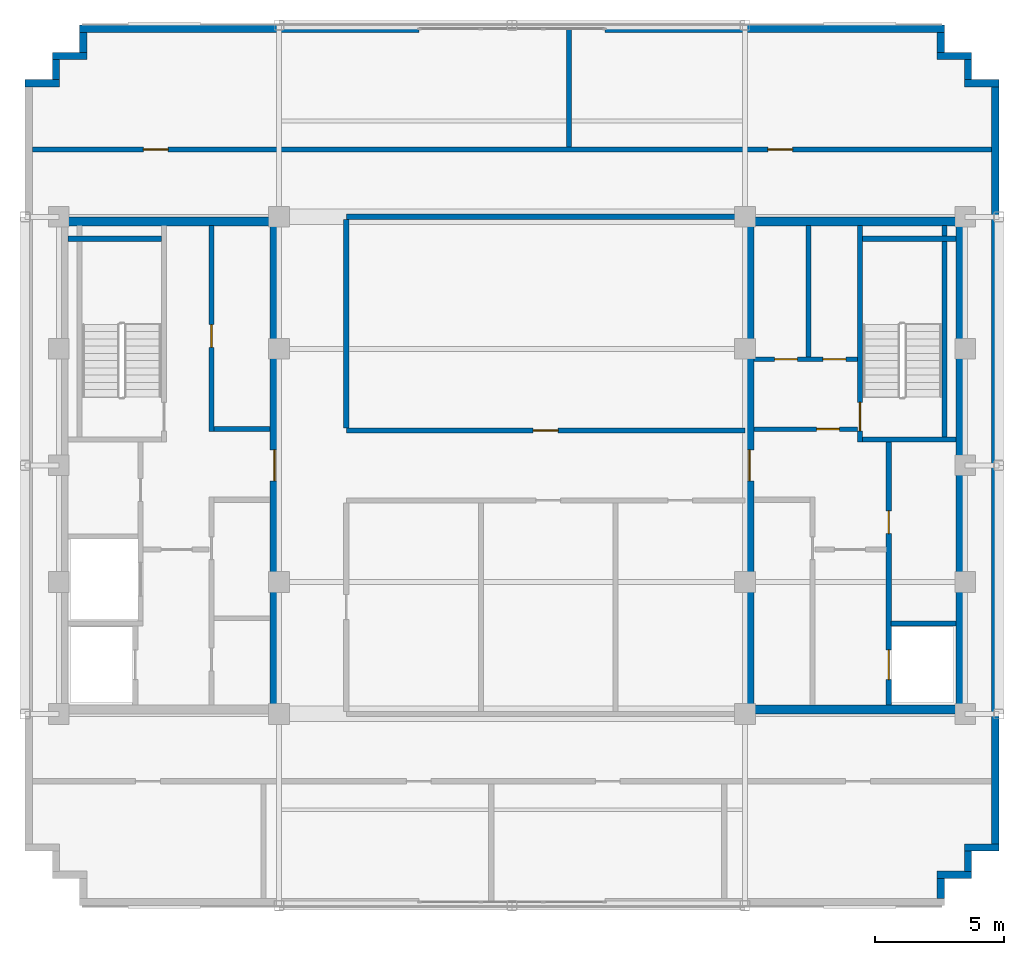
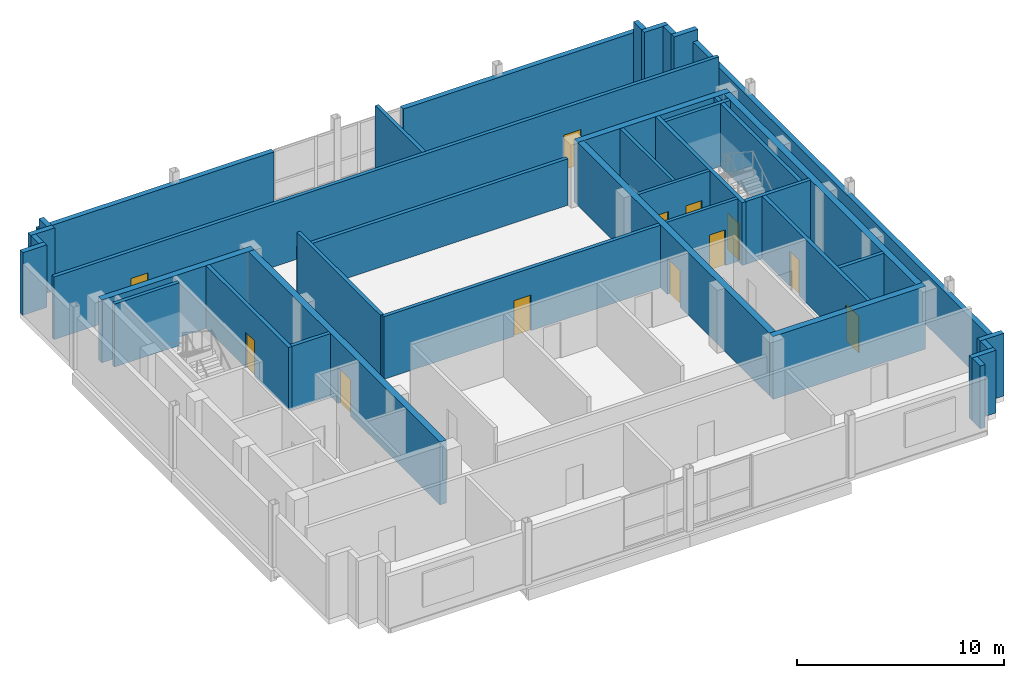
# One storey, part 3 of 10: 38 walls, 12 doors, 12 openings.
"""IFC4 building model written with IfcOpenShell, lengths in metres."""

from ifc_helpers import new_model, si_unit, direction, frame, frame_2d, origin, place, context, subcontext, project, spatial, rectangle, extrude, source, transform, mapped, material, layer, layer_set, type_object, type_shapes, element, fill, save


model = new_model("IFC4")

# Units and contexts
model_context = context("Model", 3, precision=1e-05, world=origin(), true_north=direction((0.0, 1.0)))
body_context = subcontext(model_context, "Body", "Model", "MODEL_VIEW")
ifc_project = project(units=[si_unit("LENGTHUNIT", "METRE"), si_unit("AREAUNIT", "SQUARE_METRE"), si_unit("VOLUMEUNIT", "CUBIC_METRE"), si_unit("PLANEANGLEUNIT", "RADIAN"), si_unit("MASSUNIT", "GRAM", prefix="KILO")], contexts=[model_context])

# Site, building, storey
site_placement = place(None, origin())
site = spatial("IfcSite", under=ifc_project, at=site_placement, CompositionType="ELEMENT")
building_placement = place(site_placement, origin())
building = spatial("IfcBuilding", under=site, at=building_placement, Name="Nuvemarco Arch Tower", CompositionType="ELEMENT")
storey_placement = place(building_placement, frame((0.0, 0.0, 303.14990234375)))
storey = spatial("IfcBuildingStorey", under=building, at=storey_placement, Name="L80", CompositionType="ELEMENT", Elevation=303.14990234375)

# Walls
ifc_material_1 = material(Name="Precast concrete C45/55", Category="concrete")
ifc_layer_1 = layer(ifc_material_1, 0.280029296875, Name="EW-CRN-280")
ifc_layer_set_1 = layer_set([ifc_layer_1], Name="Precast concrete C45/55")
wall_type_1 = type_object("IfcWallType", Name="EW-CRN-280", PredefinedType="STANDARD", material=ifc_layer_set_1)
wall_1_placement = place(storey_placement, frame((16.56005859375, -16.72412109375, 0.0), z_axis=(0.0, 0.0, 1.0), x_axis=(0.0, 1.0, 0.0)))
element("IfcWall", 1, at=wall_1_placement, inside=storey, type_object=wall_type_1, Name="L80 exterior precast facade wall 2", PredefinedType="STANDARD", context=body_context, shape_type="SweptSolid", body=[
    extrude(rectangle(XDim=0.778076171875, YDim=0.280029296875, at=frame_2d((0.38916015625, 0.0))), origin(), (0.0, 0.0, 1.0), 3.690185546875),
])
wall_2_placement = place(storey_placement, frame((16.419921875, -15.81005859375, 0.0), z_axis=(0.0, 0.0, 1.0), x_axis=(1.0, 0.0, 0.0)))
element("IfcWall", 2, at=wall_2_placement, inside=storey, type_object=wall_type_1, Name="L80 exterior precast facade wall 3", PredefinedType="STANDARD", context=body_context, shape_type="SweptSolid", body=[
    extrude(rectangle(XDim=1.330078125, YDim=0.280029296875, at=frame_2d((0.6650390625, 0.0))), origin(), (0.0, 0.0, 1.0), 3.690185546875),
])
wall_3_placement = place(storey_placement, frame((17.610107421875, -15.674072265625, 0.0), z_axis=(0.0, 0.0, 1.0), x_axis=(0.0, 1.0, 0.0)))
element("IfcWall", 3, at=wall_3_placement, inside=storey, type_object=wall_type_1, Name="L80 exterior precast facade wall 4", PredefinedType="STANDARD", context=body_context, shape_type="SweptSolid", body=[
    extrude(rectangle(XDim=0.778076171875, YDim=0.280029296875, at=frame_2d((0.38916015625, 0.0))), origin(), (0.0, 0.0, 1.0), 3.690185546875),
])
wall_4_placement = place(storey_placement, frame((17.469970703125, -14.760009765625, 0.0), z_axis=(0.0, 0.0, 1.0), x_axis=(1.0, 0.0, 0.0)))
element("IfcWall", 4, at=wall_4_placement, inside=storey, type_object=wall_type_1, Name="L80 exterior precast facade wall 5", PredefinedType="STANDARD", context=body_context, shape_type="SweptSolid", body=[
    extrude(rectangle(XDim=1.330078125, YDim=0.280029296875, at=frame_2d((0.6650390625, 0.0))), origin(), (0.0, 0.0, 1.0), 3.690185546875),
])
wall_5_placement = place(storey_placement, frame((18.659912109375, -14.6240234375, 0.0), z_axis=(0.0, 0.0, 1.0), x_axis=(0.0, 1.0, 0.0)))
element("IfcWall", 5, at=wall_5_placement, inside=storey, type_object=wall_type_1, Name="L80 exterior precast facade wall 6", PredefinedType="STANDARD", context=body_context, shape_type="SweptSolid", body=[
    extrude(rectangle(XDim=29.248046875, YDim=0.280029296875, at=frame_2d((14.6240234375, 0.0))), origin(), (0.0, 0.0, 1.0), 3.03515625),
])
wall_6_placement = place(storey_placement, frame((17.469970703125, 14.760009765625, 0.0), z_axis=(0.0, 0.0, 1.0), x_axis=(1.0, 0.0, 0.0)))
element("IfcWall", 6, at=wall_6_placement, inside=storey, type_object=wall_type_1, Name="L80 exterior precast facade wall 7", PredefinedType="STANDARD", context=body_context, shape_type="SweptSolid", body=[
    extrude(rectangle(XDim=1.330078125, YDim=0.280029296875, at=frame_2d((0.6650390625, 0.0))), origin(), (0.0, 0.0, 1.0), 3.690185546875),
])
wall_7_placement = place(storey_placement, frame((17.610107421875, 14.89599609375, 0.0), z_axis=(0.0, 0.0, 1.0), x_axis=(0.0, 1.0, 0.0)))
element("IfcWall", 7, at=wall_7_placement, inside=storey, type_object=wall_type_1, Name="L80 exterior precast facade wall 8", PredefinedType="STANDARD", context=body_context, shape_type="SweptSolid", body=[
    extrude(rectangle(XDim=0.778076171875, YDim=0.280029296875, at=frame_2d((0.38916015625, 0.0))), origin(), (0.0, 0.0, 1.0), 3.690185546875),
])
wall_8_placement = place(storey_placement, frame((16.419921875, 15.81005859375, 0.0), z_axis=(0.0, 0.0, 1.0), x_axis=(1.0, 0.0, 0.0)))
element("IfcWall", 8, at=wall_8_placement, inside=storey, type_object=wall_type_1, Name="L80 exterior precast facade wall 9", PredefinedType="STANDARD", context=body_context, shape_type="SweptSolid", body=[
    extrude(rectangle(XDim=1.330078125, YDim=0.280029296875, at=frame_2d((0.6650390625, 0.0))), origin(), (0.0, 0.0, 1.0), 3.690185546875),
])
wall_9_placement = place(storey_placement, frame((16.56005859375, 15.946044921875, 0.0), z_axis=(0.0, 0.0, 1.0), x_axis=(0.0, 1.0, 0.0)))
element("IfcWall", 9, at=wall_9_placement, inside=storey, type_object=wall_type_1, Name="L80 exterior precast facade wall 10", PredefinedType="STANDARD", context=body_context, shape_type="SweptSolid", body=[
    extrude(rectangle(XDim=0.778076171875, YDim=0.280029296875, at=frame_2d((0.38916015625, 0.0))), origin(), (0.0, 0.0, 1.0), 3.690185546875),
])
for number, where, z_axis, x_axis, name in (
    (10, (-16.699951171875, 16.860107421875, 0.0), (0.0, 0.0, 1.0), (1.0, 0.0, 0.0), "L80 exterior precast pier wall north left"),
    (11, (3.60009765625, 16.860107421875, 0.0), (0.0, 0.0, 1.0), (1.0, 0.0, 0.0), "L80 exterior precast pier wall north right"),
):
    element("IfcWall", number, at=place(storey_placement, frame(where, z_axis=z_axis, x_axis=x_axis)), inside=storey, type_object=wall_type_1, Name=name, PredefinedType="STANDARD", context=body_context, shape_type="SweptSolid", body=[
        extrude(rectangle(XDim=13.099853515625, YDim=0.280029296875, at=frame_2d((6.5498046875, 0.0))), origin(), (0.0, 0.0, 1.0), 3.03515625),
    ])
wall_10_placement = place(storey_placement, frame((-16.56005859375, 15.946044921875, 0.0), z_axis=(0.0, 0.0, 1.0), x_axis=(0.0, 1.0, 0.0)))
element("IfcWall", 12, at=wall_10_placement, inside=storey, type_object=wall_type_1, Name="L80 exterior precast facade wall 12", PredefinedType="STANDARD", context=body_context, shape_type="SweptSolid", body=[
    extrude(rectangle(XDim=0.778076171875, YDim=0.280029296875, at=frame_2d((0.38916015625, 0.0))), origin(), (0.0, 0.0, 1.0), 3.690185546875),
])
wall_11_placement = place(storey_placement, frame((-17.75, 15.81005859375, 0.0), z_axis=(0.0, 0.0, 1.0), x_axis=(1.0, 0.0, 0.0)))
element("IfcWall", 13, at=wall_11_placement, inside=storey, type_object=wall_type_1, Name="L80 exterior precast facade wall 13", PredefinedType="STANDARD", context=body_context, shape_type="SweptSolid", body=[
    extrude(rectangle(XDim=1.330078125, YDim=0.280029296875, at=frame_2d((0.6650390625, 0.0))), origin(), (0.0, 0.0, 1.0), 3.690185546875),
])
wall_12_placement = place(storey_placement, frame((-17.610107421875, 14.89599609375, 0.0), z_axis=(0.0, 0.0, 1.0), x_axis=(0.0, 1.0, 0.0)))
element("IfcWall", 14, at=wall_12_placement, inside=storey, type_object=wall_type_1, Name="L80 exterior precast facade wall 14", PredefinedType="STANDARD", context=body_context, shape_type="SweptSolid", body=[
    extrude(rectangle(XDim=0.778076171875, YDim=0.280029296875, at=frame_2d((0.38916015625, 0.0))), origin(), (0.0, 0.0, 1.0), 3.690185546875),
])
wall_13_placement = place(storey_placement, frame((-18.800048828125, 14.760009765625, 0.0), z_axis=(0.0, 0.0, 1.0), x_axis=(1.0, 0.0, 0.0)))
element("IfcWall", 15, at=wall_13_placement, inside=storey, type_object=wall_type_1, Name="L80 exterior precast facade wall 15", PredefinedType="STANDARD", context=body_context, shape_type="SweptSolid", body=[
    extrude(rectangle(XDim=1.330078125, YDim=0.280029296875, at=frame_2d((0.6650390625, 0.0))), origin(), (0.0, 0.0, 1.0), 3.690185546875),
])
ifc_material_2 = material(Name="Concrete C50/60", Category="concrete")
ifc_layer_2 = layer(ifc_material_2, 0.35009765625, Name="WL-CORE-350")
ifc_layer_set_2 = layer_set([ifc_layer_2], Name="Concrete C50/60")
wall_type_2 = type_object("IfcWallType", Name="WL-CORE-350", PredefinedType="SHEAR", material=ifc_layer_set_2)
wall_14_placement = place(storey_placement, frame((-17.5, 9.425048828125, 0.0), z_axis=(0.0, 0.0, 1.0), x_axis=(1.0, 0.0, 0.0)))
element("IfcWall", 16, at=wall_14_placement, inside=storey, type_object=wall_type_2, Name="L80 W-core shear wall N", PredefinedType="SHEAR", context=body_context, shape_type="SweptSolid", body=[
    extrude(rectangle(XDim=8.5, YDim=0.35009765625, at=frame_2d((4.25, 0.0))), origin(), (0.0, 0.0, 1.0), 3.7001953125),
])

# Wall, opening, door
wall_15_placement = place(storey_placement, frame((-9.175048828125, -9.2548828125, 0.0), z_axis=(0.0, 0.0, 1.0), x_axis=(0.0, 1.0, 0.0)))
wall_15 = element("IfcWall", 17, at=wall_15_placement, inside=storey, type_object=wall_type_2, Name="L80 W-core shear wall E", PredefinedType="SHEAR", context=body_context, shape_type="SweptSolid", body=[
    extrude(rectangle(XDim=18.509765625, YDim=0.35009765625, at=frame_2d((9.2548828125, 0.0))), origin(), (0.0, 0.0, 1.0), 3.7001953125),
])
opening_1_placement = place(wall_15_placement, frame((8.655029296875, 0.0, 0.0)))
opening_1 = element("IfcOpeningElement", 18, at=opening_1_placement, cuts=wall_15, Name="Opening FD-2", PredefinedType="OPENING", context=body_context, shape_type="SweptSolid", body=[
    extrude(rectangle(XDim=1.199951171875, YDim=2.14990234375, at=frame_2d((0.60009765625, 1.074951171875))), frame((0.0, 0.18505859375, 0.0), z_axis=(0.0, -1.0, 0.0), x_axis=(1.0, 0.0, 0.0)), (0.0, 0.0, 1.0), 0.3701171875),
])
ifc_material_3 = material(Name="Anodised steel fire door", Category="steel")
door_type_1 = type_object("IfcDoorType", Name="DR-FFLOB-FD", OperationType="NOTDEFINED", PredefinedType="DOOR", material=ifc_material_3)
shared_shape_1 = source(origin(), body_context, "Body", "SweptSolid", [
    extrude(rectangle(XDim=1.199951171875, YDim=2.14990234375, at=frame_2d((0.60009765625, 1.074951171875))), frame((0.0, 0.02490234375, 0.0), z_axis=(0.0, -1.0, 0.0), x_axis=(1.0, 0.0, 0.0)), (0.0, 0.0, 1.0), 0.050048828125),
])
type_shapes(door_type_1, [shared_shape_1])
door_1_placement = place(opening_1_placement, origin())
door_1 = element("IfcDoor", 19, at=door_1_placement, inside=storey, type_object=door_type_1, Name="L80 door FD-L80-WCORE-E", OperationType="SINGLE_SWING_RIGHT", OverallHeight=2.14990234375, OverallWidth=1.199951171875, PredefinedType="DOOR", context=body_context, shape_type="MappedRepresentation", body=[
    mapped(shared_shape_1, transform((0.0, 0.0, 0.0), scale=1.0)),
])
fill(opening_1, door_1)

# Walls
for number, where, z_axis, x_axis, name in (
    (20, (9.0, -9.425048828125, 0.0), (0.0, 0.0, 1.0), (1.0, 0.0, 0.0), "L80 E-core shear wall S"),
    (21, (9.0, 9.425048828125, 0.0), (0.0, 0.0, 1.0), (1.0, 0.0, 0.0), "L80 E-core shear wall N"),
):
    element("IfcWall", number, at=place(storey_placement, frame(where, z_axis=z_axis, x_axis=x_axis)), inside=storey, type_object=wall_type_2, Name=name, PredefinedType="SHEAR", context=body_context, shape_type="SweptSolid", body=[
        extrude(rectangle(XDim=8.5, YDim=0.35009765625, at=frame_2d((4.25, 0.0))), origin(), (0.0, 0.0, 1.0), 3.7001953125),
    ])

# Wall, opening, door
wall_16_placement = place(storey_placement, frame((9.175048828125, -9.2548828125, 0.0), z_axis=(0.0, 0.0, 1.0), x_axis=(0.0, 1.0, 0.0)))
wall_16 = element("IfcWall", 22, at=wall_16_placement, inside=storey, type_object=wall_type_2, Name="L80 E-core shear wall W", PredefinedType="SHEAR", context=body_context, shape_type="SweptSolid", body=[
    extrude(rectangle(XDim=18.509765625, YDim=0.35009765625, at=frame_2d((9.2548828125, 0.0))), origin(), (0.0, 0.0, 1.0), 3.7001953125),
])
opening_2_placement = place(wall_16_placement, frame((8.655029296875, 0.0, 0.0)))
opening_2 = element("IfcOpeningElement", 23, at=opening_2_placement, cuts=wall_16, Name="Opening FD-2", PredefinedType="OPENING", context=body_context, shape_type="SweptSolid", body=[
    extrude(rectangle(XDim=1.199951171875, YDim=2.14990234375, at=frame_2d((0.60009765625, 1.074951171875))), frame((0.0, 0.18505859375, 0.0), z_axis=(0.0, -1.0, 0.0), x_axis=(1.0, 0.0, 0.0)), (0.0, 0.0, 1.0), 0.3701171875),
])
door_2_placement = place(opening_2_placement, origin())
door_2 = element("IfcDoor", 24, at=door_2_placement, inside=storey, type_object=door_type_1, Name="L80 door FD-L80-ECORE-W", OperationType="SINGLE_SWING_LEFT", OverallHeight=2.14990234375, OverallWidth=1.199951171875, PredefinedType="DOOR", context=body_context, shape_type="MappedRepresentation", body=[
    mapped(shared_shape_1, transform((0.0, 0.0, 0.0), scale=1.0)),
])
fill(opening_2, door_2)

# Wall
wall_17_placement = place(storey_placement, frame((17.324951171875, -9.2548828125, 0.0), z_axis=(0.0, 0.0, 1.0), x_axis=(0.0, 1.0, 0.0)))
element("IfcWall", 25, at=wall_17_placement, inside=storey, type_object=wall_type_2, Name="L80 E-core shear wall E", PredefinedType="SHEAR", context=body_context, shape_type="SweptSolid", body=[
    extrude(rectangle(XDim=18.509765625, YDim=0.35009765625, at=frame_2d((9.2548828125, 0.0))), origin(), (0.0, 0.0, 1.0), 3.7001953125),
])

# Wall, opening, door
ifc_material_4 = material(Name="Fire-rated gypsum drywall partition")
ifc_layer_3 = layer(ifc_material_4, 0.179931640625, Name="WL-CORR-180")
ifc_layer_set_3 = layer_set([ifc_layer_3], Name="Fire-rated gypsum drywall partition")
wall_type_3 = type_object("IfcWallType", Name="WL-CORR-180", PredefinedType="PARTITIONING", material=ifc_layer_set_3)
wall_18_placement = place(storey_placement, frame((9.344970703125, 1.39990234375, 0.0), z_axis=(0.0, 0.0, 1.0), x_axis=(1.0, 0.0, 0.0)))
wall_18 = element("IfcWall", 26, at=wall_18_placement, inside=storey, type_object=wall_type_3, Name="L80 interior wall IW-L80-EK-S", PredefinedType="PARTITIONING", context=body_context, shape_type="SweptSolid", body=[
    extrude(rectangle(XDim=4.0, YDim=0.179931640625, at=frame_2d((2.0, 0.0))), origin(), (0.0, 0.0, 1.0), 3.690185546875),
])
opening_3_placement = place(wall_18_placement, frame((2.4150390625, 0.0, 0.0)))
opening_3 = element("IfcOpeningElement", 27, at=opening_3_placement, cuts=wall_18, Name="Opening FD-4", PredefinedType="OPENING", context=body_context, shape_type="SweptSolid", body=[
    extrude(rectangle(XDim=0.8798828125, YDim=2.10009765625, at=frame_2d((0.43994140625, 1.050048828125))), frame((0.0, 0.099853515625, 0.0), z_axis=(0.0, -1.0, 0.0), x_axis=(1.0, 0.0, 0.0)), (0.0, 0.0, 1.0), 0.199951171875),
])
door_type_2 = type_object("IfcDoorType", Name="DR-RISER-FD", OperationType="NOTDEFINED", PredefinedType="DOOR", material=ifc_material_3)
shared_shape_2 = source(origin(), body_context, "Body", "SweptSolid", [
    extrude(rectangle(XDim=0.8798828125, YDim=2.10009765625, at=frame_2d((0.43994140625, 1.050048828125))), frame((0.0, 0.02490234375, 0.0), z_axis=(0.0, -1.0, 0.0), x_axis=(1.0, 0.0, 0.0)), (0.0, 0.0, 1.0), 0.050048828125),
])
type_shapes(door_type_2, [shared_shape_2])
door_3_placement = place(opening_3_placement, origin())
door_3 = element("IfcDoor", 28, at=door_3_placement, inside=storey, type_object=door_type_2, Name="L80 door FD-L80-EK3A", OperationType="SINGLE_SWING_RIGHT", OverallHeight=2.10009765625, OverallWidth=0.8798828125, PredefinedType="DOOR", context=body_context, shape_type="MappedRepresentation", body=[
    mapped(shared_shape_2, transform((0.0, 0.0, 0.0), scale=1.0)),
])
fill(opening_3, door_3)

# Wall, openings, doors
wall_19_placement = place(storey_placement, frame((9.344970703125, 4.10009765625, 0.0), z_axis=(0.0, 0.0, 1.0), x_axis=(1.0, 0.0, 0.0)))
wall_19 = element("IfcWall", 29, at=wall_19_placement, inside=storey, type_object=wall_type_3, Name="L80 interior wall IW-L80-EK3H", PredefinedType="PARTITIONING", context=body_context, shape_type="SweptSolid", body=[
    extrude(rectangle(XDim=4.0, YDim=0.179931640625, at=frame_2d((2.0, 0.0))), origin(), (0.0, 0.0, 1.0), 3.690185546875),
])
opening_4_placement = place(wall_19_placement, frame((0.800048828125, 0.0, 0.0)))
opening_4 = element("IfcOpeningElement", 30, at=opening_4_placement, cuts=wall_19, Name="Opening FD-4", PredefinedType="OPENING", context=body_context, shape_type="SweptSolid", body=[
    extrude(rectangle(XDim=0.8798828125, YDim=2.10009765625, at=frame_2d((0.43994140625, 1.050048828125))), frame((0.0, 0.099853515625, 0.0), z_axis=(0.0, -1.0, 0.0), x_axis=(1.0, 0.0, 0.0)), (0.0, 0.0, 1.0), 0.199951171875),
])
opening_5_placement = place(wall_19_placement, frame((2.6650390625, 0.0, 0.0)))
opening_5 = element("IfcOpeningElement", 31, at=opening_5_placement, cuts=wall_19, Name="Opening FD-4", PredefinedType="OPENING", context=body_context, shape_type="SweptSolid", body=[
    extrude(rectangle(XDim=0.8798828125, YDim=2.10009765625, at=frame_2d((0.43994140625, 1.050048828125))), frame((0.0, 0.099853515625, 0.0), z_axis=(0.0, -1.0, 0.0), x_axis=(1.0, 0.0, 0.0)), (0.0, 0.0, 1.0), 0.199951171875),
])
door_4_placement = place(opening_4_placement, origin())
door_4 = element("IfcDoor", 32, at=door_4_placement, inside=storey, type_object=door_type_2, Name="L80 door FD-L80-EK3B", OperationType="SINGLE_SWING_LEFT", OverallHeight=2.10009765625, OverallWidth=0.8798828125, PredefinedType="DOOR", context=body_context, shape_type="MappedRepresentation", body=[
    mapped(shared_shape_2, transform((0.0, 0.0, 0.0), scale=1.0)),
])
fill(opening_4, door_4)
door_5_placement = place(opening_5_placement, origin())
door_5 = element("IfcDoor", 33, at=door_5_placement, inside=storey, type_object=door_type_2, Name="L80 door FD-L80-EK3C", OperationType="SINGLE_SWING_RIGHT", OverallHeight=2.10009765625, OverallWidth=0.8798828125, PredefinedType="DOOR", context=body_context, shape_type="MappedRepresentation", body=[
    mapped(shared_shape_2, transform((0.0, 0.0, 0.0), scale=1.0)),
])
fill(opening_5, door_5)

# Wall
wall_20_placement = place(storey_placement, frame((11.449951171875, 4.18994140625, 0.0), z_axis=(0.0, 0.0, 1.0), x_axis=(0.0, 1.0, 0.0)))
element("IfcWall", 34, at=wall_20_placement, inside=storey, type_object=wall_type_3, Name="L80 interior wall IW-L80-EK3V", PredefinedType="PARTITIONING", context=body_context, shape_type="SweptSolid", body=[
    extrude(rectangle(XDim=5.06494140625, YDim=0.179931640625, at=frame_2d((2.532470703125, 0.0))), origin(), (0.0, 0.0, 1.0), 3.690185546875),
])

# Wall, opening, door
ifc_layer_4 = layer(ifc_material_1, 0.199951171875, Name="WL-PLANT-200")
ifc_layer_set_4 = layer_set([ifc_layer_4], Name="Precast concrete C45/55")
wall_type_4 = type_object("IfcWallType", Name="WL-PLANT-200", PredefinedType="STANDARD", material=ifc_layer_set_4)
wall_21_placement = place(storey_placement, frame((-6.39990234375, 1.35009765625, 0.0), z_axis=(0.0, 0.0, 1.0), x_axis=(1.0, 0.0, 0.0)))
wall_21 = element("IfcWall", 35, at=wall_21_placement, inside=storey, type_object=wall_type_4, Name="L80 interior wall IW-L80-004", PredefinedType="STANDARD", context=body_context, shape_type="SweptSolid", body=[
    extrude(rectangle(XDim=15.39990234375, YDim=0.199951171875, at=frame_2d((7.699951171875, 0.0))), origin(), (0.0, 0.0, 1.0), 3.690185546875),
])
opening_6_placement = place(wall_21_placement, frame((7.219970703125, 0.0, 0.0)))
opening_6 = element("IfcOpeningElement", 36, at=opening_6_placement, cuts=wall_21, Name="Opening FD-5", PredefinedType="OPENING", context=body_context, shape_type="SweptSolid", body=[
    extrude(rectangle(XDim=0.9599609375, YDim=2.10009765625, at=frame_2d((0.47998046875, 1.050048828125))), frame((0.0, 0.10986328125, 0.0), z_axis=(0.0, -1.0, 0.0), x_axis=(1.0, 0.0, 0.0)), (0.0, 0.0, 1.0), 0.219970703125),
])
ifc_material_5 = material(Name="Timber fire door", Category="wood")
door_type_3 = type_object("IfcDoorType", Name="DR-CORR-FD", OperationType="NOTDEFINED", PredefinedType="DOOR", material=ifc_material_5)
shared_shape_3 = source(origin(), body_context, "Body", "SweptSolid", [
    extrude(rectangle(XDim=0.9599609375, YDim=2.10009765625, at=frame_2d((0.47998046875, 1.050048828125))), frame((0.0, 0.02490234375, 0.0), z_axis=(0.0, -1.0, 0.0), x_axis=(1.0, 0.0, 0.0)), (0.0, 0.0, 1.0), 0.050048828125),
])
type_shapes(door_type_3, [shared_shape_3])
door_6_placement = place(opening_6_placement, origin())
door_6 = element("IfcDoor", 37, at=door_6_placement, inside=storey, type_object=door_type_3, Name="L80 door DR-L80-CRN_PUMP", OperationType="SINGLE_SWING_RIGHT", OverallHeight=2.10009765625, OverallWidth=0.9599609375, PredefinedType="DOOR", context=body_context, shape_type="MappedRepresentation", body=[
    mapped(shared_shape_3, transform((0.0, 0.0, 0.0), scale=1.0)),
])
fill(opening_6, door_6)

# Wall
wall_22_placement = place(storey_placement, frame((-6.39990234375, 9.60009765625, 0.0), z_axis=(0.0, 0.0, 1.0), x_axis=(1.0, 0.0, 0.0)))
element("IfcWall", 38, at=wall_22_placement, inside=storey, type_object=wall_type_4, Name="L80 interior wall IW-L80-005", PredefinedType="STANDARD", context=body_context, shape_type="SweptSolid", body=[
    extrude(rectangle(XDim=15.00390625, YDim=0.199951171875, at=frame_2d((7.501953125, 0.0))), origin(), (0.0, 0.0, 1.0), 2.735107421875),
])

# Wall, openings, doors
wall_23_placement = place(storey_placement, frame((-18.52001953125, 12.199951171875, 0.0), z_axis=(0.0, 0.0, 1.0), x_axis=(1.0, 0.0, 0.0)))
wall_23 = element("IfcWall", 39, at=wall_23_placement, inside=storey, type_object=wall_type_4, Name="L80 interior wall IW-L80-006", PredefinedType="STANDARD", context=body_context, shape_type="SweptSolid", body=[
    extrude(rectangle(XDim=37.0400390625, YDim=0.199951171875, at=frame_2d((18.52001953125, 0.0))), origin(), (0.0, 0.0, 1.0), 3.690185546875),
])
opening_7_placement = place(wall_23_placement, frame((28.39990234375, 0.0, 0.0)))
opening_7 = element("IfcOpeningElement", 40, at=opening_7_placement, cuts=wall_23, Name="Opening FD-5", PredefinedType="OPENING", context=body_context, shape_type="SweptSolid", body=[
    extrude(rectangle(XDim=0.9599609375, YDim=2.10009765625, at=frame_2d((0.47998046875, 1.050048828125))), frame((0.0, 0.10986328125, 0.0), z_axis=(0.0, -1.0, 0.0), x_axis=(1.0, 0.0, 0.0)), (0.0, 0.0, 1.0), 0.219970703125),
])
opening_8_placement = place(wall_23_placement, frame((4.280029296875, 0.0, 0.0)))
opening_8 = element("IfcOpeningElement", 41, at=opening_8_placement, cuts=wall_23, Name="Opening FD-5", PredefinedType="OPENING", context=body_context, shape_type="SweptSolid", body=[
    extrude(rectangle(XDim=0.9599609375, YDim=2.10009765625, at=frame_2d((0.47998046875, 1.050048828125))), frame((0.0, 0.10986328125, 0.0), z_axis=(0.0, -1.0, 0.0), x_axis=(1.0, 0.0, 0.0)), (0.0, 0.0, 1.0), 0.219970703125),
])
door_7_placement = place(opening_7_placement, origin())
door_7 = element("IfcDoor", 42, at=door_7_placement, inside=storey, type_object=door_type_3, Name="L80 door DR-L80-CRN_LMR", OperationType="SINGLE_SWING_LEFT", OverallHeight=2.10009765625, OverallWidth=0.9599609375, PredefinedType="DOOR", context=body_context, shape_type="MappedRepresentation", body=[
    mapped(shared_shape_3, transform((0.0, 0.0, 0.0), scale=1.0)),
])
fill(opening_7, door_7)
door_8_placement = place(opening_8_placement, origin())
door_8 = element("IfcDoor", 43, at=door_8_placement, inside=storey, type_object=door_type_3, Name="L80 door DR-L80-CRN_TMD", OperationType="SINGLE_SWING_RIGHT", OverallHeight=2.10009765625, OverallWidth=0.9599609375, PredefinedType="DOOR", context=body_context, shape_type="MappedRepresentation", body=[
    mapped(shared_shape_3, transform((0.0, 0.0, 0.0), scale=1.0)),
])
fill(opening_8, door_8)

# Walls
wall_24_placement = place(storey_placement, frame((-6.39990234375, 1.446044921875, 0.0), z_axis=(0.0, 0.0, 1.0), x_axis=(0.0, 1.0, 0.0)))
element("IfcWall", 44, at=wall_24_placement, inside=storey, type_object=wall_type_4, Name="L80 interior wall IW-L80-009", PredefinedType="STANDARD", context=body_context, shape_type="SweptSolid", body=[
    extrude(rectangle(XDim=8.057861328125, YDim=0.199951171875, at=frame_2d((4.02880859375, 0.0))), origin(), (0.0, 0.0, 1.0), 3.690185546875),
])
wall_25_placement = place(storey_placement, frame((2.199951171875, 12.2958984375, 0.0), z_axis=(0.0, 0.0, 1.0), x_axis=(0.0, 1.0, 0.0)))
element("IfcWall", 45, at=wall_25_placement, inside=storey, type_object=wall_type_4, Name="L80 interior wall IW-L80-012", PredefinedType="STANDARD", context=body_context, shape_type="SweptSolid", body=[
    extrude(rectangle(XDim=4.549072265625, YDim=0.199951171875, at=frame_2d((2.2744140625, 0.0))), origin(), (0.0, 0.0, 1.0), 3.690185546875),
])
ifc_layer_5 = layer(ifc_material_2, 0.199951171875, Name="WL-SHAFT-220")
ifc_layer_set_5 = layer_set([ifc_layer_5], Name="Concrete C50/60")
wall_type_5 = type_object("IfcWallType", Name="WL-SHAFT-220", PredefinedType="SHEAR", material=ifc_layer_set_5)
wall_26_placement = place(storey_placement, frame((-17.155029296875, 8.75, 0.0), z_axis=(0.0, 0.0, 1.0), x_axis=(1.0, 0.0, 0.0)))
element("IfcWall", 46, at=wall_26_placement, inside=storey, type_object=wall_type_5, Name="L80 structural shaft wall SW-L80-W-ST1N", PredefinedType="SHEAR", context=body_context, shape_type="SweptSolid", body=[
    extrude(rectangle(XDim=3.6201171875, YDim=0.199951171875, at=frame_2d((1.81005859375, 0.0))), origin(), (0.0, 0.0, 1.0), 3.7001953125),
])

# Wall, opening, door
wall_27_placement = place(storey_placement, frame((-11.60009765625, 1.300048828125, 0.0), z_axis=(0.0, 0.0, 1.0), x_axis=(0.0, 1.0, 0.0)))
wall_27 = element("IfcWall", 47, at=wall_27_placement, inside=storey, type_object=wall_type_5, Name="L80 structural shaft wall SW-L80-W-PHW", PredefinedType="SHEAR", context=body_context, shape_type="SweptSolid", body=[
    extrude(rectangle(XDim=7.954833984375, YDim=0.199951171875, at=frame_2d((3.9775390625, 0.0))), origin(), (0.0, 0.0, 1.0), 3.7001953125),
])
opening_9_placement = place(wall_27_placement, frame((3.260009765625, 0.0, 0.0)))
opening_9 = element("IfcOpeningElement", 48, at=opening_9_placement, cuts=wall_27, Name="Opening FD-4", PredefinedType="OPENING", context=body_context, shape_type="SweptSolid", body=[
    extrude(rectangle(XDim=0.8798828125, YDim=2.10009765625, at=frame_2d((0.43994140625, 1.050048828125))), frame((0.0, 0.10986328125, 0.0), z_axis=(0.0, -1.0, 0.0), x_axis=(1.0, 0.0, 0.0)), (0.0, 0.0, 1.0), 0.219970703125),
])
door_9_placement = place(opening_9_placement, origin())
door_9 = element("IfcDoor", 49, at=door_9_placement, inside=storey, type_object=door_type_2, Name="L80 door FD-L80-WRECPH", OperationType="SINGLE_SWING_LEFT", OverallHeight=2.10009765625, OverallWidth=0.8798828125, PredefinedType="DOOR", context=body_context, shape_type="MappedRepresentation", body=[
    mapped(shared_shape_2, transform((0.0, 0.0, 0.0), scale=1.0)),
])
fill(opening_9, door_9)

# Wall
wall_28_placement = place(storey_placement, frame((-11.5048828125, 1.39990234375, 0.0), z_axis=(0.0, 0.0, 1.0), x_axis=(1.0, 0.0, 0.0)))
element("IfcWall", 50, at=wall_28_placement, inside=storey, type_object=wall_type_5, Name="L80 structural shaft wall SW-L80-W-PHBOT", PredefinedType="SHEAR", context=body_context, shape_type="SweptSolid", body=[
    extrude(rectangle(XDim=2.159912109375, YDim=0.199951171875, at=frame_2d((1.080078125, 0.0))), origin(), (0.0, 0.0, 1.0), 3.7001953125),
])

# Wall, opening, door
wall_29_placement = place(storey_placement, frame((13.43994140625, 0.89990234375, 0.0), z_axis=(0.0, 0.0, 1.0), x_axis=(0.0, 1.0, 0.0)))
wall_29 = element("IfcWall", 51, at=wall_29_placement, inside=storey, type_object=wall_type_5, Name="L80 structural shaft wall SW-L80-E-ST2W", PredefinedType="SHEAR", context=body_context, shape_type="SweptSolid", body=[
    extrude(rectangle(XDim=8.35498046875, YDim=0.199951171875, at=frame_2d((4.177490234375, 0.0))), origin(), (0.0, 0.0, 1.0), 3.7001953125),
])
opening_10_placement = place(wall_29_placement, frame((0.429931640625, 0.0, 0.0)))
opening_10 = element("IfcOpeningElement", 52, at=opening_10_placement, cuts=wall_29, Name="Opening FD-1", PredefinedType="OPENING", context=body_context, shape_type="SweptSolid", body=[
    extrude(rectangle(XDim=1.10009765625, YDim=2.14990234375, at=frame_2d((0.550048828125, 1.074951171875))), frame((0.0, 0.10986328125, 0.0), z_axis=(0.0, -1.0, 0.0), x_axis=(1.0, 0.0, 0.0)), (0.0, 0.0, 1.0), 0.219970703125),
])
door_type_4 = type_object("IfcDoorType", Name="DR-STAIR-FD", OperationType="NOTDEFINED", PredefinedType="DOOR", material=ifc_material_3)
shared_shape_4 = source(origin(), body_context, "Body", "SweptSolid", [
    extrude(rectangle(XDim=1.10009765625, YDim=2.14990234375, at=frame_2d((0.550048828125, 1.074951171875))), frame((0.0, 0.02490234375, 0.0), z_axis=(0.0, -1.0, 0.0), x_axis=(1.0, 0.0, 0.0)), (0.0, 0.0, 1.0), 0.050048828125),
])
type_shapes(door_type_4, [shared_shape_4])
door_10_placement = place(opening_10_placement, origin())
door_10 = element("IfcDoor", 53, at=door_10_placement, inside=storey, type_object=door_type_4, Name="L80 door FD-L80-ST2", OperationType="SINGLE_SWING_LEFT", OverallHeight=2.14990234375, OverallWidth=1.10009765625, PredefinedType="DOOR", context=body_context, shape_type="MappedRepresentation", body=[
    mapped(shared_shape_4, transform((0.0, 0.0, 0.0), scale=1.0)),
])
fill(opening_10, door_10)

# Walls
for number, where, z_axis, x_axis, name in (
    (54, (13.534912109375, 1.0, 0.0), (0.0, 0.0, 1.0), (1.0, 0.0, 0.0), "L80 structural shaft wall SW-L80-E-ST2S"),
    (55, (13.534912109375, 8.75, 0.0), (0.0, 0.0, 1.0), (1.0, 0.0, 0.0), "L80 structural shaft wall SW-L80-E-ST2N"),
):
    element("IfcWall", number, at=place(storey_placement, frame(where, z_axis=z_axis, x_axis=x_axis)), inside=storey, type_object=wall_type_5, Name=name, PredefinedType="SHEAR", context=body_context, shape_type="SweptSolid", body=[
        extrude(rectangle(XDim=3.6201171875, YDim=0.199951171875, at=frame_2d((1.81005859375, 0.0))), origin(), (0.0, 0.0, 1.0), 3.7001953125),
    ])
wall_30_placement = place(storey_placement, frame((16.699951171875, 1.094970703125, 0.0), z_axis=(0.0, 0.0, 1.0), x_axis=(0.0, 1.0, 0.0)))
element("IfcWall", 56, at=wall_30_placement, inside=storey, type_object=wall_type_5, Name="L80 structural shaft wall SW-L80-E-ST2E", PredefinedType="SHEAR", context=body_context, shape_type="SweptSolid", body=[
    extrude(rectangle(XDim=8.159912109375, YDim=0.199951171875, at=frame_2d((4.080078125, 0.0))), origin(), (0.0, 0.0, 1.0), 3.7001953125),
])

# Wall, openings, doors
wall_31_placement = place(storey_placement, frame((14.550048828125, -9.2548828125, 0.0), z_axis=(0.0, 0.0, 1.0), x_axis=(0.0, 1.0, 0.0)))
wall_31 = element("IfcWall", 57, at=wall_31_placement, inside=storey, type_object=wall_type_5, Name="L80 structural shaft wall SW-L80-E-SHW", PredefinedType="SHEAR", context=body_context, shape_type="SweptSolid", body=[
    extrude(rectangle(XDim=10.159912109375, YDim=0.199951171875, at=frame_2d((5.080078125, 0.0))), origin(), (0.0, 0.0, 1.0), 3.7001953125),
])
opening_11_placement = place(wall_31_placement, frame((6.614990234375, 0.0, 0.0)))
opening_11 = element("IfcOpeningElement", 58, at=opening_11_placement, cuts=wall_31, Name="Opening FD-4", PredefinedType="OPENING", context=body_context, shape_type="SweptSolid", body=[
    extrude(rectangle(XDim=0.8798828125, YDim=2.10009765625, at=frame_2d((0.43994140625, 1.050048828125))), frame((0.0, 0.10986328125, 0.0), z_axis=(0.0, -1.0, 0.0), x_axis=(1.0, 0.0, 0.0)), (0.0, 0.0, 1.0), 0.219970703125),
])
opening_12_placement = place(wall_31_placement, frame((0.97998046875, 0.0, 0.0)))
opening_12 = element("IfcOpeningElement", 59, at=opening_12_placement, cuts=wall_31, Name="Opening LD-2", PredefinedType="OPENING", context=body_context, shape_type="SweptSolid", body=[
    extrude(rectangle(XDim=1.14990234375, YDim=2.14990234375, at=frame_2d((0.574951171875, 1.074951171875))), frame((0.0, 0.10986328125, 0.0), z_axis=(0.0, -1.0, 0.0), x_axis=(1.0, 0.0, 0.0)), (0.0, 0.0, 1.0), 0.219970703125),
])
door_11_placement = place(opening_11_placement, origin())
door_11 = element("IfcDoor", 60, at=door_11_placement, inside=storey, type_object=door_type_2, Name="L80 door FD-L80-ERIS", OperationType="SINGLE_SWING_LEFT", OverallHeight=2.10009765625, OverallWidth=0.8798828125, PredefinedType="DOOR", context=body_context, shape_type="MappedRepresentation", body=[
    mapped(shared_shape_2, transform((0.0, 0.0, 0.0), scale=1.0)),
])
fill(opening_11, door_11)
ifc_material_6 = material(Name="Stainless steel lift door", Category="steel")
door_type_5 = type_object("IfcDoorType", Name="DR-LIFT-FIRE", OperationType="DOUBLE_DOOR_SLIDING", PredefinedType="DOOR", material=ifc_material_6)
shared_shape_5 = source(origin(), body_context, "Body", "SweptSolid", [
    extrude(rectangle(XDim=1.14990234375, YDim=2.14990234375, at=frame_2d((0.574951171875, 1.074951171875))), frame((0.0, 0.02490234375, 0.0), z_axis=(0.0, -1.0, 0.0), x_axis=(1.0, 0.0, 0.0)), (0.0, 0.0, 1.0), 0.050048828125),
])
type_shapes(door_type_5, [shared_shape_5])
door_12_placement = place(opening_12_placement, origin())
door_12 = element("IfcDoor", 61, at=door_12_placement, inside=storey, type_object=door_type_5, Name="L80 Lift landing sliding door FFL-2", OperationType="DOUBLE_DOOR_SLIDING", OverallHeight=2.14990234375, OverallWidth=1.14990234375, PredefinedType="DOOR", context=body_context, shape_type="MappedRepresentation", body=[
    mapped(shared_shape_5, transform((0.0, 0.0, 0.0), scale=1.0)),
])
fill(opening_12, door_12)

# Wall
wall_32_placement = place(storey_placement, frame((14.64501953125, -6.10009765625, 0.0), z_axis=(0.0, 0.0, 1.0), x_axis=(1.0, 0.0, 0.0)))
element("IfcWall", 62, at=wall_32_placement, inside=storey, type_object=wall_type_5, Name="L80 structural shaft wall SW-L80-E-SH1", PredefinedType="SHEAR", context=body_context, shape_type="SweptSolid", body=[
    extrude(rectangle(XDim=2.510009765625, YDim=0.199951171875, at=frame_2d((1.2548828125, 0.0))), origin(), (0.0, 0.0, 1.0), 3.7001953125),
])

save(model, "model.ifc")
